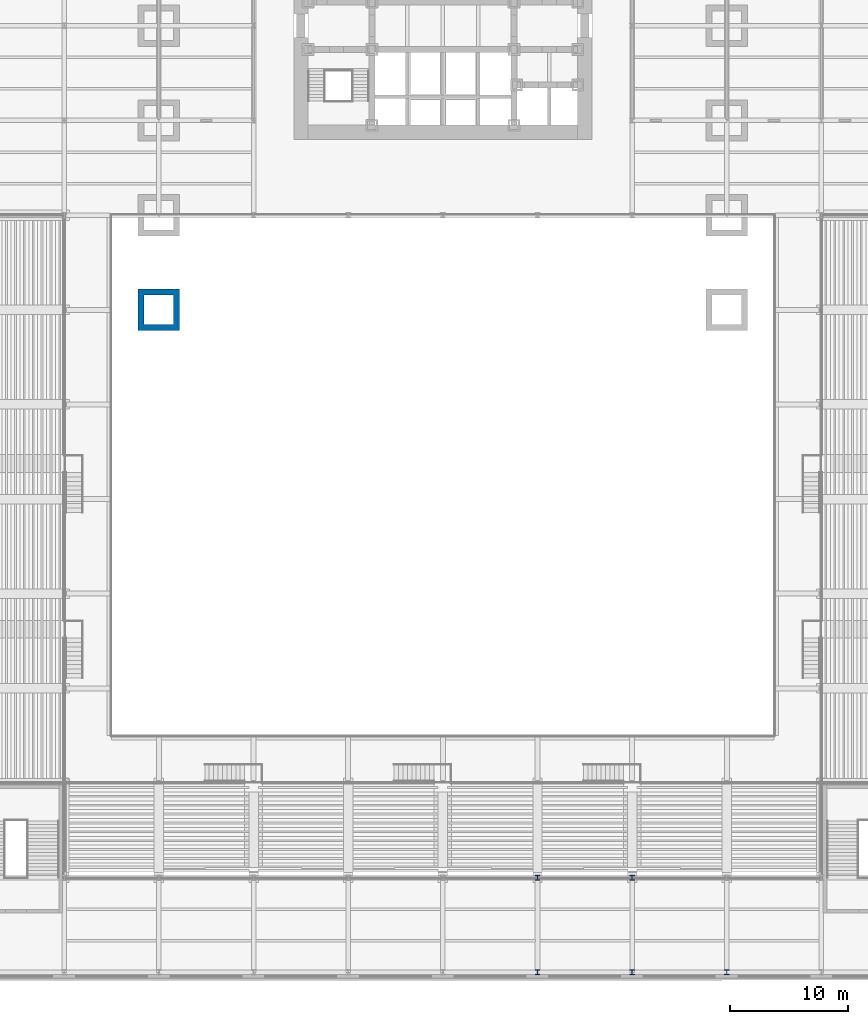
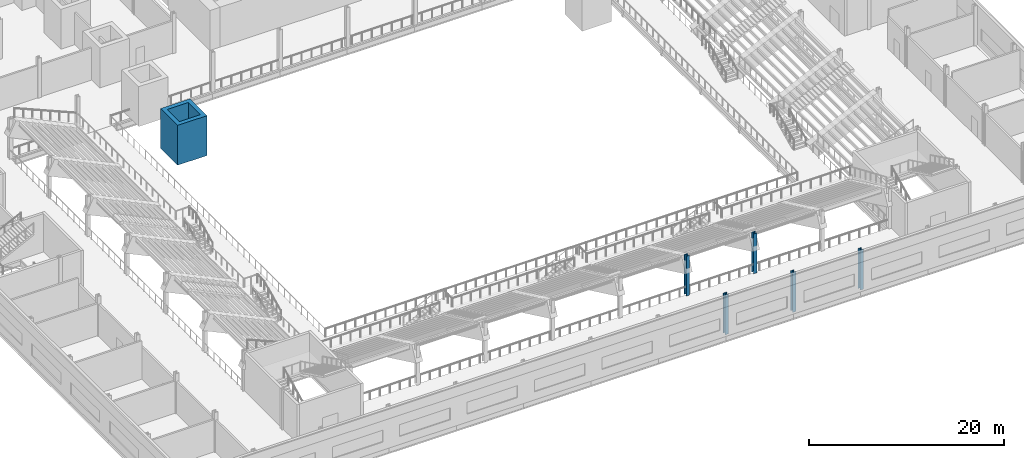
# One storey, part 2 of 27: 6 columns.
"""IFC4 building model written with IfcOpenShell, lengths in metres."""

import ifcopenshell
import ifcopenshell.guid

model = None  # the IFC model being written
_history = None  # IfcOwnerHistory: only IFC2X3 demands one
_inside = {}  # id of a spatial element -> (the spatial element, [elements in it])
_under = {}  # id of a project, library or spatial element -> (it, [spatial elements below it])
_declared = {}  # id of a project -> (the project, [libraries it declares])
_typed = {}  # id of a type object -> (the type object, [elements of that type])
_made_of = {}  # id of a material, layer set ... -> (it, [elements and type objects made of it])


def new_model(schema):
    """Start an empty IFC model of exactly this schema.

    Asked for "IFC4X3", IfcOpenShell would pick the latest addendum, in which some entities
    have other attributes; the version numbers below select the first issue.
    IFC2X3 requires an IfcOwnerHistory on every rooted entity: one is made here for all.
    """
    global model, _history
    if schema == "IFC4X3":
        model = ifcopenshell.file(schema_version=(4, 3, 0, 0))
    else:
        model = ifcopenshell.file(schema=schema)
    _inside.clear()
    _under.clear()
    _declared.clear()
    _typed.clear()
    _made_of.clear()
    _history = None
    if model.schema == "IFC2X3":
        org = make("IfcOrganization", Name="unknown")
        user = make(
            "IfcPersonAndOrganization",
            ThePerson=make("IfcPerson", FamilyName="unknown"),
            TheOrganization=org,
        )
        app = make(
            "IfcApplication",
            ApplicationDeveloper=org,
            Version="unknown",
            ApplicationFullName="unknown",
            ApplicationIdentifier="unknown",
        )
        _history = make(
            "IfcOwnerHistory",
            OwningUser=user,
            OwningApplication=app,
            ChangeAction="ADDED",
            CreationDate=0,
        )
    return model


def make(cls, **values):
    """One entity of the class cls with the attributes given. An attribute that is None is left unset."""
    return model.create_entity(
        cls, **{name: value for name, value in values.items() if value is not None}
    )


def rooted(cls, **values):
    """An entity with a GlobalId (a new one), such as an element, a storey or a relation."""
    return make(cls, GlobalId=ifcopenshell.guid.new(), OwnerHistory=_history, **values)


def si_unit(unit_type, name, prefix=None):
    """IfcSIUnit, for example si_unit("LENGTHUNIT", "METRE", prefix="MILLI")."""
    return make("IfcSIUnit", UnitType=unit_type, Prefix=prefix, Name=name)


def assignment(units):
    """IfcUnitAssignment: the units of a project."""
    return None if units is None else make("IfcUnitAssignment", Units=units)


def point(xyz):
    """IfcCartesianPoint."""
    return None if xyz is None else make("IfcCartesianPoint", Coordinates=xyz)


def direction(xyz):
    """IfcDirection."""
    return None if xyz is None else make("IfcDirection", DirectionRatios=xyz)


def frame(location, z_axis=None, x_axis=None):
    """IfcAxis2Placement3D, a coordinate frame: its origin and axes. An axis left out is left unset."""
    return make(
        "IfcAxis2Placement3D",
        Location=point(location),
        Axis=direction(z_axis),
        RefDirection=direction(x_axis),
    )


def frame_2d(location, x_axis=None):
    """IfcAxis2Placement2D, a coordinate frame in the plane: its origin and x axis."""
    return make(
        "IfcAxis2Placement2D", Location=point(location), RefDirection=direction(x_axis)
    )


def origin():
    """The frame at (0, 0, 0) with its axes left unset."""
    return frame((0.0, 0.0, 0.0))


def origin_2d():
    """The frame at (0, 0) in the plane with its x axis left unset."""
    return frame_2d((0.0, 0.0))


def place(relative_to, where):
    """IfcLocalPlacement: puts the frame where relative to a parent placement (None: the world)."""
    return make(
        "IfcLocalPlacement", PlacementRelTo=relative_to, RelativePlacement=where
    )


def context(
    kind, dimensions, precision=None, world=None, true_north=None, identifier=None
):
    """IfcGeometricRepresentationContext, for example the 3D "Model" context."""
    return make(
        "IfcGeometricRepresentationContext",
        ContextIdentifier=identifier,
        ContextType=kind,
        CoordinateSpaceDimension=dimensions,
        Precision=precision,
        WorldCoordinateSystem=world,
        TrueNorth=true_north,
    )


def subcontext(parent, identifier, kind, view, scale=None):
    """IfcGeometricRepresentationSubContext, for example "Body" below "Model"."""
    return make(
        "IfcGeometricRepresentationSubContext",
        ContextIdentifier=identifier,
        ContextType=kind,
        ParentContext=parent,
        TargetScale=scale,
        TargetView=view,
    )


def project(units=None, contexts=None):
    """IfcProject with its units and contexts."""
    return rooted(
        "IfcProject",
        Name="project",
        RepresentationContexts=contexts,
        UnitsInContext=assignment(units),
    )


def spatial(cls, under=None, at=None, **own):
    """A site, building, storey or space (cls), placed at a placement, below another one or the project."""
    s = rooted(cls, ObjectPlacement=at, **own)
    if under is not None:
        _under.setdefault(under.id(), (under, []))[1].append(s)
    return s


def profile(cls, at=None, kind="AREA", **sizes):
    """A parametric profile (cls). Its sizes go by their IFC names, for example OverallWidth=200.0."""
    return make(cls, ProfileType=kind, Position=at, **sizes)


def hollow_rectangle(**sizes):
    """IfcRectangleHollowProfileDef."""
    return profile("IfcRectangleHollowProfileDef", **sizes)


def i_section(**sizes):
    """IfcIShapeProfileDef."""
    return profile("IfcIShapeProfileDef", **sizes)


def extrude(swept, where, along, depth):
    """IfcExtrudedAreaSolid: the profile swept, set in the frame where, extruded along a direction by depth."""
    return make(
        "IfcExtrudedAreaSolid",
        SweptArea=swept,
        Position=where,
        ExtrudedDirection=direction(along),
        Depth=depth,
    )


def shape(context_of_items, identifier, shape_type, items):
    """IfcShapeRepresentation: the items that make up one representation, for example the "Body"."""
    return make(
        "IfcShapeRepresentation",
        ContextOfItems=context_of_items,
        RepresentationIdentifier=identifier,
        RepresentationType=shape_type,
        Items=items,
    )


def material(Name=None, Category=None):
    """IfcMaterial."""
    return make("IfcMaterial", Name=Name, Category=Category)


def material_profile(
    of_material, cross_section, Name=None, Category=None, Priority=None
):
    """IfcMaterialProfile: a cross section and its material."""
    return make(
        "IfcMaterialProfile",
        Name=Name,
        Material=of_material,
        Profile=cross_section,
        Priority=Priority,
        Category=Category,
    )


def profile_set(profiles, Name=None, composite=None):
    """IfcMaterialProfileSet."""
    return make(
        "IfcMaterialProfileSet",
        Name=Name,
        MaterialProfiles=profiles,
        CompositeProfile=composite,
    )


def made_of(thing, what):
    """Note that an element or type object is made of a material, layer set ...; save() writes the relation."""
    if what is not None:
        _made_of.setdefault(what.id(), (what, []))[1].append(thing)
    return thing


def type_object(cls, material=None, **own):
    """A type object (cls), such as IfcWallType, which elements share."""
    return made_of(rooted(cls, **own), material)


def element(
    cls,
    number,
    at=None,
    inside=None,
    cuts=None,
    type_object=None,
    material=None,
    context=None,
    identifier="Body",
    shape_type=None,
    held_by="IfcProductDefinitionShape",
    body=None,
    shapes=None,
    **own,
):
    """One element of the class cls, such as IfcWall. Its Tag is "e" and its number.

    at: its placement. inside: the storey or other place that contains it. cuts: it is an
    opening in that element (IfcRelVoidsElement). A single representation is given by context,
    identifier, shape_type and body (its items); several are given by shapes. held_by: the class
    of the entity that holds the representations. save() writes the other relations.
    """
    e = rooted(cls, Tag="e%d" % number, ObjectPlacement=at, **own)
    if body is not None:
        shapes = [shape(context, identifier, shape_type, body)]
    if shapes is not None:
        e.Representation = make(held_by, Representations=shapes)
    if inside is not None:
        _inside.setdefault(inside.id(), (inside, []))[1].append(e)
    if cuts is not None:
        rooted(
            "IfcRelVoidsElement", RelatingBuildingElement=cuts, RelatedOpeningElement=e
        )
    if type_object is not None:
        _typed.setdefault(type_object.id(), (type_object, []))[1].append(e)
    return made_of(e, material)


def aggregate(whole, parts):
    """IfcRelAggregates: a whole, such as a stair, and the parts it consists of."""
    return rooted("IfcRelAggregates", RelatingObject=whole, RelatedObjects=parts)


def save(model, path):
    """Write the relations noted so far, then the file.

    IfcRelAggregates (storeys below a building ...), IfcRelContainedInSpatialStructure (elements
    in a storey), IfcRelDefinesByType, IfcRelAssociatesMaterial and IfcRelDeclares: one each for
    every whole, place, type object, material and project.
    """
    for whole, parts in _under.values():
        aggregate(whole, parts)
    for where, things in _inside.values():
        rooted(
            "IfcRelContainedInSpatialStructure",
            RelatedElements=things,
            RelatingStructure=where,
        )
    for kind, things in _typed.values():
        rooted("IfcRelDefinesByType", RelatedObjects=things, RelatingType=kind)
    for what, things in _made_of.values():
        rooted("IfcRelAssociatesMaterial", RelatedObjects=things, RelatingMaterial=what)
    for by, libraries in _declared.values():
        rooted("IfcRelDeclares", RelatingContext=by, RelatedDefinitions=libraries)
    model.write(path)


model = new_model("IFC4")

# Units and contexts
model_context = context("Model", 3, precision=1e-05, world=origin(), true_north=direction((0.0, 1.0)))
body_context = subcontext(model_context, "Body", "Model", "MODEL_VIEW")
ifc_project = project(units=[si_unit("LENGTHUNIT", "METRE"), si_unit("AREAUNIT", "SQUARE_METRE"), si_unit("VOLUMEUNIT", "CUBIC_METRE"), si_unit("PLANEANGLEUNIT", "RADIAN"), si_unit("MASSUNIT", "GRAM", prefix="KILO")], contexts=[model_context])

# Site, building, storey
site_placement = place(None, origin())
site = spatial("IfcSite", under=ifc_project, at=site_placement, CompositionType="ELEMENT")
building_placement = place(site_placement, origin())
building = spatial("IfcBuilding", under=site, at=building_placement, Name="Daluyong Arena Tower", CompositionType="ELEMENT")
storey_placement = place(building_placement, frame((0.0, 0.0, 14.89990234375)))
storey = spatial("IfcBuildingStorey", under=building, at=storey_placement, Name="L03", CompositionType="ELEMENT", Elevation=14.89990234375)

# Columns
ifc_material_1 = material(Name="Steel ASTM A992 Grade 50", Category="steel")
ifc_material_profile_1 = material_profile(ifc_material_1, i_section(OverallWidth=0.406494140625, OverallDepth=0.41650390625, WebThickness=0.030029296875, FlangeThickness=0.048095703125, at=origin_2d()))
ifc_profile_set_1 = profile_set([ifc_material_profile_1], Name="Steel ASTM A992 Grade 50")
column_type_1 = type_object("IfcColumnType", Name="Podium column W14X257", PredefinedType="COLUMN", material=ifc_profile_set_1)
for number, where, z_axis, x_axis, name in (
    (1, (64.0, 0.0, 0.0), (0.0, 0.0, 1.0), (1.0, 0.0, 0.0), "podium column PC2"),
    (2, (64.0, 8.0, 0.0), (0.0, 0.0, 1.0), (1.0, 0.0, 0.0), "podium column PC2"),
    (3, (72.0, 0.0, 0.0), (0.0, 0.0, 1.0), (1.0, 0.0, 0.0), "podium column PC2"),
    (4, (72.0, 8.0, 0.0), (0.0, 0.0, 1.0), (1.0, 0.0, 0.0), "podium column PC2"),
    (5, (80.0, 0.0, 0.0), (0.0, 0.0, 1.0), (1.0, 0.0, 0.0), "podium column PC2"),
):
    element("IfcColumn", number, at=place(storey_placement, frame(where, z_axis=z_axis, x_axis=x_axis)), inside=storey, type_object=column_type_1, Name=name, PredefinedType="COLUMN", context=body_context, shape_type="SweptSolid", body=[
        extrude(i_section(OverallWidth=0.406494140625, OverallDepth=0.41650390625, WebThickness=0.030029296875, FlangeThickness=0.048095703125, at=origin_2d()), origin(), (0.0, 0.0, 1.0), 5.0),
    ])
ifc_material_2 = material(Name="Steel ASTM A36", Category="steel")
ifc_material_profile_2 = material_profile(ifc_material_2, hollow_rectangle(XDim=3.5, YDim=3.5, WallThickness=0.5, at=origin_2d()))
ifc_profile_set_2 = profile_set([ifc_material_profile_2], Name="Steel ASTM A36")
column_type_2 = type_object("IfcColumnType", Name="Podium megacolumn BX3500X500", PredefinedType="COLUMN", material=ifc_profile_set_2)
column_placement = place(storey_placement, frame((32.0, 56.0, 0.0), z_axis=(0.0, 0.0, 1.0), x_axis=(1.0, 0.0, 0.0)))
element("IfcColumn", 6, at=column_placement, inside=storey, type_object=column_type_2, Name="podium megacolumn MC1", PredefinedType="COLUMN", context=body_context, shape_type="SweptSolid", body=[
    extrude(hollow_rectangle(XDim=3.5, YDim=3.5, WallThickness=0.5, at=origin_2d()), origin(), (0.0, 0.0, 1.0), 5.0),
])

save(model, "model.ifc")
